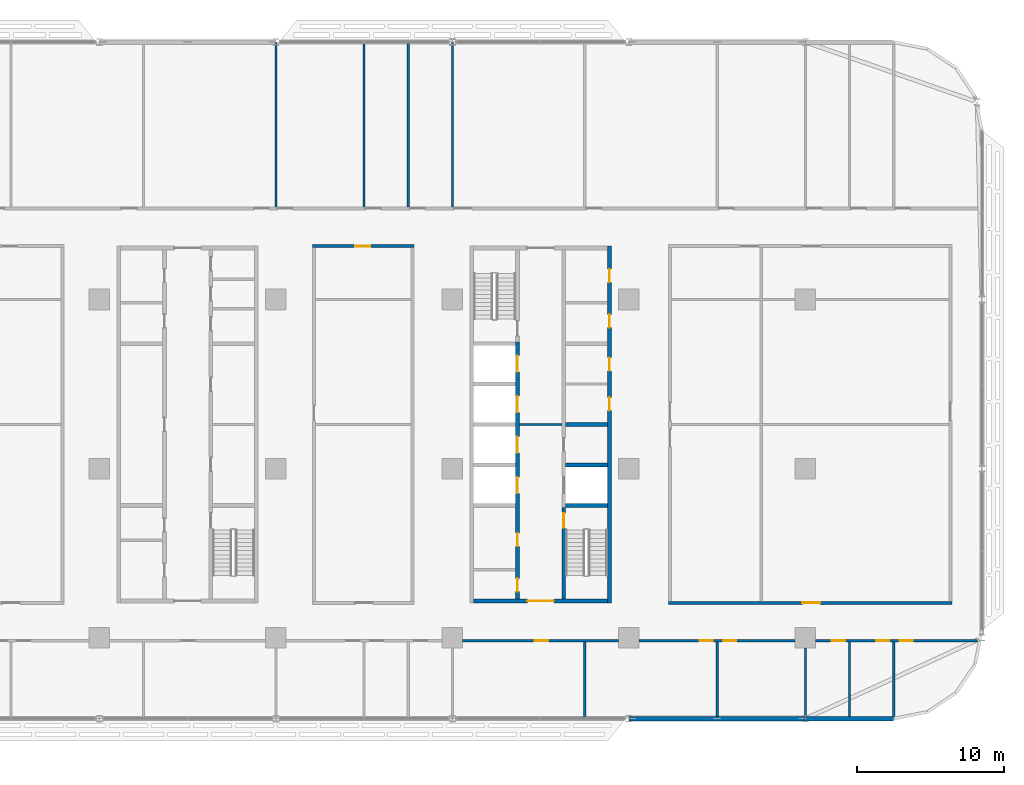
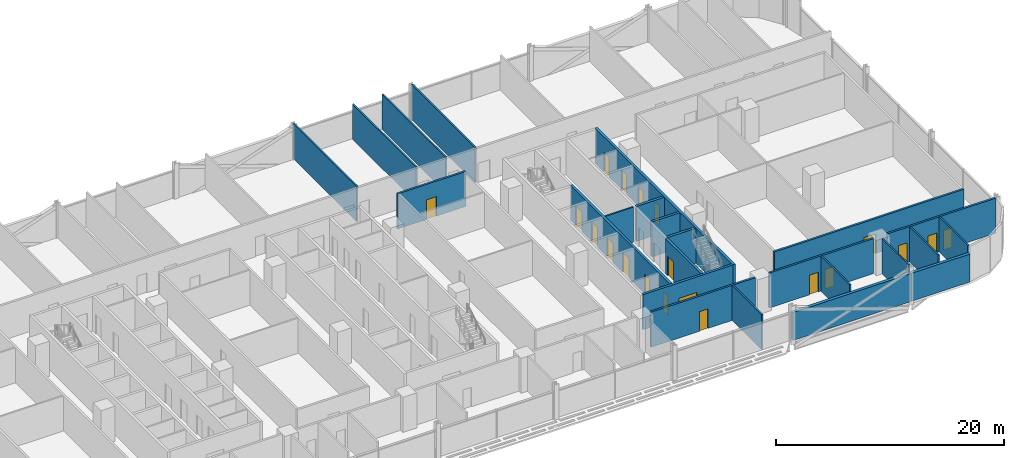
# One storey, part 16 of 29: 24 walls, 20 doors, 20 openings.
"""IFC4 building model written with IfcOpenShell, lengths in metres."""

from ifc_helpers import new_model, si_unit, direction, frame, frame_2d, origin, place, context, subcontext, project, spatial, rectangle, extrude, material, layer, layer_set, type_object, element, fill, save


model = new_model("IFC4")

# Units and contexts
model_context = context("Model", 3, precision=1e-05, world=origin(), true_north=direction((0.0, 1.0)))
body_context = subcontext(model_context, "Body", "Model", "MODEL_VIEW")
ifc_project = project(units=[si_unit("LENGTHUNIT", "METRE"), si_unit("AREAUNIT", "SQUARE_METRE"), si_unit("VOLUMEUNIT", "CUBIC_METRE"), si_unit("PLANEANGLEUNIT", "RADIAN"), si_unit("MASSUNIT", "GRAM", prefix="KILO")], contexts=[model_context])

# Site, building, storey
site_placement = place(None, origin())
site = spatial("IfcSite", under=ifc_project, at=site_placement, CompositionType="ELEMENT")
building_placement = place(site_placement, origin())
building = spatial("IfcBuilding", under=site, at=building_placement, Name="Mahtab Terrace Research Tower", CompositionType="ELEMENT")
storey_placement = place(building_placement, frame((0.0, 0.0, 109.39990234375)))
storey = spatial("IfcBuildingStorey", under=building, at=storey_placement, Name="L25", CompositionType="ELEMENT", Elevation=109.39990234375)

# Wall
ifc_material_1 = material(Name="Gypsum board partition")
ifc_layer_1 = layer(ifc_material_1, 0.14990234375)
ifc_layer_set_1 = layer_set([ifc_layer_1], Name="Core partition 150")
wall_type_1 = type_object("IfcWallType", Name="Core partition 150", PredefinedType="PARTITIONING", material=ifc_layer_set_1)
wall_1_placement = place(storey_placement, frame((22.550048828125, 3.0, 0.0), z_axis=(0.0, 0.0, 1.0), x_axis=(1.0, 0.0, 0.0)))
element("IfcWall", 1, at=wall_1_placement, inside=storey, type_object=wall_type_1, Name="Core wall C ffl", PredefinedType="PARTITIONING", context=body_context, shape_type="SweptSolid", body=[
    extrude(rectangle(XDim=2.89990234375, YDim=0.14990234375, at=frame_2d((1.449951171875, 0.0))), origin(), (0.0, 0.0, 1.0), 3.760009765625),
])

# Wall, openings, doors
ifc_material_2 = material(Name="Concrete C70/85", Category="concrete")
ifc_layer_2 = layer(ifc_material_2, 0.25)
ifc_layer_set_2 = layer_set([ifc_layer_2], Name="Core wall 250")
wall_type_2 = type_object("IfcWallType", Name="Core wall 250", PredefinedType="SOLIDWALL", material=ifc_layer_set_2)
wall_2_placement = place(storey_placement, frame((28.675048828125, -9.125, 0.0), z_axis=(0.0, 0.0, 1.0), x_axis=(0.0, 1.0, 0.0)))
wall_2 = element("IfcWall", 2, at=wall_2_placement, inside=storey, type_object=wall_type_2, Name="Core wall C outerE", PredefinedType="SOLIDWALL", context=body_context, shape_type="SweptSolid", body=[
    extrude(rectangle(XDim=24.25, YDim=0.25, at=frame_2d((12.125, 0.0))), origin(), (0.0, 0.0, 1.0), 3.760009765625),
])
opening_1_placement = place(wall_2_placement, frame((13.074951171875, 0.0, 0.0)))
opening_1 = element("IfcOpeningElement", 3, at=opening_1_placement, cuts=wall_2, Name="Opening C-R2", PredefinedType="OPENING", context=body_context, shape_type="SweptSolid", body=[
    extrude(rectangle(XDim=0.89990234375, YDim=2.10009765625, at=frame_2d((0.449951171875, 1.050048828125))), frame((0.0, 0.135009765625, 0.0), z_axis=(0.0, -1.0, 0.0), x_axis=(1.0, 0.0, 0.0)), (0.0, 0.0, 1.0), 0.27001953125),
])
opening_2_placement = place(wall_2_placement, frame((15.77490234375, 0.0, 0.0)))
opening_2 = element("IfcOpeningElement", 4, at=opening_2_placement, cuts=wall_2, Name="Opening C-R3", PredefinedType="OPENING", context=body_context, shape_type="SweptSolid", body=[
    extrude(rectangle(XDim=0.89990234375, YDim=2.10009765625, at=frame_2d((0.449951171875, 1.050048828125))), frame((0.0, 0.135009765625, 0.0), z_axis=(0.0, -1.0, 0.0), x_axis=(1.0, 0.0, 0.0)), (0.0, 0.0, 1.0), 0.27001953125),
])
opening_3_placement = place(wall_2_placement, frame((18.71240234375, 0.0, 0.0)))
opening_3 = element("IfcOpeningElement", 5, at=opening_3_placement, cuts=wall_2, Name="Opening C-R6", PredefinedType="OPENING", context=body_context, shape_type="SweptSolid", body=[
    extrude(rectangle(XDim=0.89990234375, YDim=2.10009765625, at=frame_2d((0.449951171875, 1.050048828125))), frame((0.0, 0.135009765625, 0.0), z_axis=(0.0, -1.0, 0.0), x_axis=(1.0, 0.0, 0.0)), (0.0, 0.0, 1.0), 0.27001953125),
])
opening_4_placement = place(wall_2_placement, frame((21.78759765625, 0.0, 0.0)))
opening_4 = element("IfcOpeningElement", 6, at=opening_4_placement, cuts=wall_2, Name="Opening C-R7", PredefinedType="OPENING", context=body_context, shape_type="SweptSolid", body=[
    extrude(rectangle(XDim=0.89990234375, YDim=2.10009765625, at=frame_2d((0.449951171875, 1.050048828125))), frame((0.0, 0.135009765625, 0.0), z_axis=(0.0, -1.0, 0.0), x_axis=(1.0, 0.0, 0.0)), (0.0, 0.0, 1.0), 0.27001953125),
])
ifc_material_3 = material(Name="Steel fire door", Category="steel")
door_type_1 = type_object("IfcDoorType", Name="Room door 900x2100 1 HR", OperationType="NOTDEFINED", PredefinedType="DOOR", material=ifc_material_3)
door_1_placement = place(opening_1_placement, origin())
door_1 = element("IfcDoor", 7, at=door_1_placement, inside=storey, type_object=door_type_1, Name="Document store door", OperationType="SINGLE_SWING_RIGHT", OverallHeight=2.10009765625, OverallWidth=0.89990234375, PredefinedType="DOOR", context=body_context, shape_type="SweptSolid", body=[
    extrude(rectangle(XDim=0.89990234375, YDim=2.10009765625, at=frame_2d((0.449951171875, 1.050048828125))), frame((0.0, 0.02490234375, 0.0), z_axis=(0.0, -1.0, 0.0), x_axis=(1.0, 0.0, 0.0)), (0.0, 0.0, 1.0), 0.050048828125),
])
fill(opening_1, door_1)
door_2_placement = place(opening_2_placement, origin())
door_2 = element("IfcDoor", 8, at=door_2_placement, inside=storey, type_object=door_type_1, Name="IT equipment room door", OperationType="SINGLE_SWING_LEFT", OverallHeight=2.10009765625, OverallWidth=0.89990234375, PredefinedType="DOOR", context=body_context, shape_type="SweptSolid", body=[
    extrude(rectangle(XDim=0.89990234375, YDim=2.10009765625, at=frame_2d((0.449951171875, 1.050048828125))), frame((0.0, 0.02490234375, 0.0), z_axis=(0.0, -1.0, 0.0), x_axis=(1.0, 0.0, 0.0)), (0.0, 0.0, 1.0), 0.050048828125),
])
fill(opening_2, door_2)
door_3_placement = place(opening_3_placement, origin())
door_3 = element("IfcDoor", 9, at=door_3_placement, inside=storey, type_object=door_type_1, Name="Mechanical riser room door", OperationType="SINGLE_SWING_RIGHT", OverallHeight=2.10009765625, OverallWidth=0.89990234375, PredefinedType="DOOR", context=body_context, shape_type="SweptSolid", body=[
    extrude(rectangle(XDim=0.89990234375, YDim=2.10009765625, at=frame_2d((0.449951171875, 1.050048828125))), frame((0.0, 0.02490234375, 0.0), z_axis=(0.0, -1.0, 0.0), x_axis=(1.0, 0.0, 0.0)), (0.0, 0.0, 1.0), 0.050048828125),
])
fill(opening_3, door_3)
door_4_placement = place(opening_4_placement, origin())
door_4 = element("IfcDoor", 10, at=door_4_placement, inside=storey, type_object=door_type_1, Name="Chemical store door", OperationType="SINGLE_SWING_LEFT", OverallHeight=2.10009765625, OverallWidth=0.89990234375, PredefinedType="DOOR", context=body_context, shape_type="SweptSolid", body=[
    extrude(rectangle(XDim=0.89990234375, YDim=2.10009765625, at=frame_2d((0.449951171875, 1.050048828125))), frame((0.0, 0.02490234375, 0.0), z_axis=(0.0, -1.0, 0.0), x_axis=(1.0, 0.0, 0.0)), (0.0, 0.0, 1.0), 0.050048828125),
])
fill(opening_4, door_4)

# Wall, opening, door
wall_3_placement = place(storey_placement, frame((28.550048828125, -9.0, 0.0), z_axis=(0.0, 0.0, 1.0), x_axis=(-1.0, 0.0, 0.0)))
wall_3 = element("IfcWall", 11, at=wall_3_placement, inside=storey, type_object=wall_type_2, Name="Core wall C endS", PredefinedType="SOLIDWALL", context=body_context, shape_type="SweptSolid", body=[
    extrude(rectangle(XDim=9.10009765625, YDim=0.25, at=frame_2d((4.550048828125, 0.0))), origin(), (0.0, 0.0, 1.0), 3.760009765625),
])
opening_5_placement = place(wall_3_placement, frame((3.64990234375, 0.0, 0.0)))
opening_5 = element("IfcOpeningElement", 12, at=opening_5_placement, cuts=wall_3, Name="Opening C-S1", PredefinedType="OPENING", context=body_context, shape_type="SweptSolid", body=[
    extrude(rectangle(XDim=1.800048828125, YDim=2.10009765625, at=frame_2d((0.89990234375, 1.050048828125))), frame((0.0, 0.135009765625, 0.0), z_axis=(0.0, -1.0, 0.0), x_axis=(1.0, 0.0, 0.0)), (0.0, 0.0, 1.0), 0.27001953125),
])
door_type_2 = type_object("IfcDoorType", Name="Lobby double door 1800x2100 1 HR", OperationType="DOUBLE_DOOR_SINGLE_SWING", PredefinedType="DOOR", material=ifc_material_3)
door_5_placement = place(opening_5_placement, origin())
door_5 = element("IfcDoor", 13, at=door_5_placement, inside=storey, type_object=door_type_2, Name="Core entrance door C S", OperationType="DOUBLE_DOOR_SINGLE_SWING", OverallHeight=2.10009765625, OverallWidth=1.800048828125, PredefinedType="DOOR", context=body_context, shape_type="SweptSolid", body=[
    extrude(rectangle(XDim=1.800048828125, YDim=2.10009765625, at=frame_2d((0.89990234375, 1.050048828125))), frame((0.0, 0.02490234375, 0.0), z_axis=(0.0, -1.0, 0.0), x_axis=(1.0, 0.0, 0.0)), (0.0, 0.0, 1.0), 0.050048828125),
])
fill(opening_5, door_5)

# Wall, openings, doors
wall_4_placement = place(storey_placement, frame((22.425048828125, -8.875, 0.0), z_axis=(0.0, 0.0, 1.0), x_axis=(0.0, 1.0, 0.0)))
wall_4 = element("IfcWall", 14, at=wall_4_placement, inside=storey, type_object=wall_type_2, Name="Core wall C innerWSL", PredefinedType="SOLIDWALL", context=body_context, shape_type="SweptSolid", body=[
    extrude(rectangle(XDim=17.5, YDim=0.25, at=frame_2d((8.75, 0.0))), origin(), (0.0, 0.0, 1.0), 3.760009765625),
])
opening_6_placement = place(wall_4_placement, frame((7.199951171875, 0.0, 0.0)))
opening_6 = element("IfcOpeningElement", 15, at=opening_6_placement, cuts=wall_4, Name="Opening LD17-L25", PredefinedType="OPENING", context=body_context, shape_type="SweptSolid", body=[
    extrude(rectangle(XDim=1.10009765625, YDim=2.10009765625, at=frame_2d((0.550048828125, 1.050048828125))), frame((0.0, 0.135009765625, 0.0), z_axis=(0.0, -1.0, 0.0), x_axis=(1.0, 0.0, 0.0)), (0.0, 0.0, 1.0), 0.27001953125),
])
opening_7_placement = place(wall_4_placement, frame((9.949951171875, 0.0, 0.0)))
opening_7 = element("IfcOpeningElement", 16, at=opening_7_placement, cuts=wall_4, Name="Opening LD18-L25", PredefinedType="OPENING", context=body_context, shape_type="SweptSolid", body=[
    extrude(rectangle(XDim=1.10009765625, YDim=2.10009765625, at=frame_2d((0.550048828125, 1.050048828125))), frame((0.0, 0.135009765625, 0.0), z_axis=(0.0, -1.0, 0.0), x_axis=(1.0, 0.0, 0.0)), (0.0, 0.0, 1.0), 0.27001953125),
])
opening_8_placement = place(wall_4_placement, frame((12.699951171875, 0.0, 0.0)))
opening_8 = element("IfcOpeningElement", 17, at=opening_8_placement, cuts=wall_4, Name="Opening LD19-L25", PredefinedType="OPENING", context=body_context, shape_type="SweptSolid", body=[
    extrude(rectangle(XDim=1.10009765625, YDim=2.10009765625, at=frame_2d((0.550048828125, 1.050048828125))), frame((0.0, 0.135009765625, 0.0), z_axis=(0.0, -1.0, 0.0), x_axis=(1.0, 0.0, 0.0)), (0.0, 0.0, 1.0), 0.27001953125),
])
opening_9_placement = place(wall_4_placement, frame((15.449951171875, 0.0, 0.0)))
opening_9 = element("IfcOpeningElement", 18, at=opening_9_placement, cuts=wall_4, Name="Opening LD20-L25", PredefinedType="OPENING", context=body_context, shape_type="SweptSolid", body=[
    extrude(rectangle(XDim=1.10009765625, YDim=2.10009765625, at=frame_2d((0.550048828125, 1.050048828125))), frame((0.0, 0.135009765625, 0.0), z_axis=(0.0, -1.0, 0.0), x_axis=(1.0, 0.0, 0.0)), (0.0, 0.0, 1.0), 0.27001953125),
])
opening_10_placement = place(wall_4_placement, frame((0.512451171875, 0.0, 0.0)))
opening_10 = element("IfcOpeningElement", 19, at=opening_10_placement, cuts=wall_4, Name="Opening C-R4", PredefinedType="OPENING", context=body_context, shape_type="SweptSolid", body=[
    extrude(rectangle(XDim=0.89990234375, YDim=2.10009765625, at=frame_2d((0.449951171875, 1.050048828125))), frame((0.0, 0.135009765625, 0.0), z_axis=(0.0, -1.0, 0.0), x_axis=(1.0, 0.0, 0.0)), (0.0, 0.0, 1.0), 0.27001953125),
])
opening_11_placement = place(wall_4_placement, frame((3.58740234375, 0.0, 0.0)))
opening_11 = element("IfcOpeningElement", 20, at=opening_11_placement, cuts=wall_4, Name="Opening C-R5", PredefinedType="OPENING", context=body_context, shape_type="SweptSolid", body=[
    extrude(rectangle(XDim=0.89990234375, YDim=2.10009765625, at=frame_2d((0.449951171875, 1.050048828125))), frame((0.0, 0.135009765625, 0.0), z_axis=(0.0, -1.0, 0.0), x_axis=(1.0, 0.0, 0.0)), (0.0, 0.0, 1.0), 0.27001953125),
])
ifc_material_4 = material(Name="Stainless steel AISI 304", Category="steel")
door_type_3 = type_object("IfcDoorType", Name="Landing door 1100x2100", OperationType="DOUBLE_DOOR_SLIDING", PredefinedType="DOOR", material=ifc_material_4)
door_6_placement = place(opening_6_placement, origin())
door_6 = element("IfcDoor", 21, at=door_6_placement, inside=storey, type_object=door_type_3, Name="Landing door SV1 L25", OperationType="DOUBLE_DOOR_SLIDING", OverallHeight=2.10009765625, OverallWidth=1.10009765625, PredefinedType="DOOR", context=body_context, shape_type="SweptSolid", body=[
    extrude(rectangle(XDim=1.10009765625, YDim=2.10009765625, at=frame_2d((0.550048828125, 1.050048828125))), frame((0.0, 0.02490234375, 0.0), z_axis=(0.0, -1.0, 0.0), x_axis=(1.0, 0.0, 0.0)), (0.0, 0.0, 1.0), 0.050048828125),
])
fill(opening_6, door_6)
door_7_placement = place(opening_7_placement, origin())
door_7 = element("IfcDoor", 22, at=door_7_placement, inside=storey, type_object=door_type_3, Name="Landing door SV2 L25", OperationType="DOUBLE_DOOR_SLIDING", OverallHeight=2.10009765625, OverallWidth=1.10009765625, PredefinedType="DOOR", context=body_context, shape_type="SweptSolid", body=[
    extrude(rectangle(XDim=1.10009765625, YDim=2.10009765625, at=frame_2d((0.550048828125, 1.050048828125))), frame((0.0, 0.02490234375, 0.0), z_axis=(0.0, -1.0, 0.0), x_axis=(1.0, 0.0, 0.0)), (0.0, 0.0, 1.0), 0.050048828125),
])
fill(opening_7, door_7)
door_8_placement = place(opening_8_placement, origin())
door_8 = element("IfcDoor", 23, at=door_8_placement, inside=storey, type_object=door_type_3, Name="Landing door FF1 L25", OperationType="DOUBLE_DOOR_SLIDING", OverallHeight=2.10009765625, OverallWidth=1.10009765625, PredefinedType="DOOR", context=body_context, shape_type="SweptSolid", body=[
    extrude(rectangle(XDim=1.10009765625, YDim=2.10009765625, at=frame_2d((0.550048828125, 1.050048828125))), frame((0.0, 0.02490234375, 0.0), z_axis=(0.0, -1.0, 0.0), x_axis=(1.0, 0.0, 0.0)), (0.0, 0.0, 1.0), 0.050048828125),
])
fill(opening_8, door_8)
door_9_placement = place(opening_9_placement, origin())
door_9 = element("IfcDoor", 24, at=door_9_placement, inside=storey, type_object=door_type_3, Name="Landing door FF2 L25", OperationType="DOUBLE_DOOR_SLIDING", OverallHeight=2.10009765625, OverallWidth=1.10009765625, PredefinedType="DOOR", context=body_context, shape_type="SweptSolid", body=[
    extrude(rectangle(XDim=1.10009765625, YDim=2.10009765625, at=frame_2d((0.550048828125, 1.050048828125))), frame((0.0, 0.02490234375, 0.0), z_axis=(0.0, -1.0, 0.0), x_axis=(1.0, 0.0, 0.0)), (0.0, 0.0, 1.0), 0.050048828125),
])
fill(opening_9, door_9)
door_10_placement = place(opening_10_placement, origin())
door_10 = element("IfcDoor", 25, at=door_10_placement, inside=storey, type_object=door_type_1, Name="Accessible WC door", OperationType="SINGLE_SWING_RIGHT", OverallHeight=2.10009765625, OverallWidth=0.89990234375, PredefinedType="DOOR", context=body_context, shape_type="SweptSolid", body=[
    extrude(rectangle(XDim=0.89990234375, YDim=2.10009765625, at=frame_2d((0.449951171875, 1.050048828125))), frame((0.0, 0.02490234375, 0.0), z_axis=(0.0, -1.0, 0.0), x_axis=(1.0, 0.0, 0.0)), (0.0, 0.0, 1.0), 0.050048828125),
])
fill(opening_10, door_10)
door_11_placement = place(opening_11_placement, origin())
door_11 = element("IfcDoor", 26, at=door_11_placement, inside=storey, type_object=door_type_1, Name="WC block door", OperationType="SINGLE_SWING_LEFT", OverallHeight=2.10009765625, OverallWidth=0.89990234375, PredefinedType="DOOR", context=body_context, shape_type="SweptSolid", body=[
    extrude(rectangle(XDim=0.89990234375, YDim=2.10009765625, at=frame_2d((0.449951171875, 1.050048828125))), frame((0.0, 0.02490234375, 0.0), z_axis=(0.0, -1.0, 0.0), x_axis=(1.0, 0.0, 0.0)), (0.0, 0.0, 1.0), 0.050048828125),
])
fill(opening_11, door_11)

# Wall, opening, door
wall_5_placement = place(storey_placement, frame((25.574951171875, -8.875, 0.0), z_axis=(0.0, 0.0, 1.0), x_axis=(0.0, 1.0, 0.0)))
wall_5 = element("IfcWall", 27, at=wall_5_placement, inside=storey, type_object=wall_type_2, Name="Core wall C innerES", PredefinedType="SOLIDWALL", context=body_context, shape_type="SweptSolid", body=[
    extrude(rectangle(XDim=6.25, YDim=0.25, at=frame_2d((3.125, 0.0))), origin(), (0.0, 0.0, 1.0), 3.760009765625),
])
opening_12_placement = place(wall_5_placement, frame((4.85009765625, 0.0, 0.0)))
opening_12 = element("IfcOpeningElement", 28, at=opening_12_placement, cuts=wall_5, Name="Opening C-ST4", PredefinedType="OPENING", context=body_context, shape_type="SweptSolid", body=[
    extrude(rectangle(XDim=1.0, YDim=2.10009765625, at=frame_2d((0.5, 1.050048828125))), frame((0.0, 0.135009765625, 0.0), z_axis=(0.0, -1.0, 0.0), x_axis=(1.0, 0.0, 0.0)), (0.0, 0.0, 1.0), 0.27001953125),
])
door_type_4 = type_object("IfcDoorType", Name="Stair door 1000x2100 1.5 HR", OperationType="NOTDEFINED", PredefinedType="DOOR", material=ifc_material_3)
door_12_placement = place(opening_12_placement, origin())
door_12 = element("IfcDoor", 29, at=door_12_placement, inside=storey, type_object=door_type_4, Name="Stair door ST4 L25", OperationType="SINGLE_SWING_LEFT", OverallHeight=2.10009765625, OverallWidth=1.0, PredefinedType="DOOR", context=body_context, shape_type="SweptSolid", body=[
    extrude(rectangle(XDim=1.0, YDim=2.10009765625, at=frame_2d((0.5, 1.050048828125))), frame((0.0, 0.02490234375, 0.0), z_axis=(0.0, -1.0, 0.0), x_axis=(1.0, 0.0, 0.0)), (0.0, 0.0, 1.0), 0.050048828125),
])
fill(opening_12, door_12)

# Walls
for number, where, z_axis, x_axis, name in (
    (30, (25.699951171875, -2.5, 0.0), (0.0, 0.0, 1.0), (1.0, 0.0, 0.0), "Core wall C divE0"),
    (31, (25.699951171875, 0.25, 0.0), (0.0, 0.0, 1.0), (1.0, 0.0, 0.0), "Core wall C divE1"),
    (32, (25.699951171875, 3.0, 0.0), (0.0, 0.0, 1.0), (1.0, 0.0, 0.0), "Core wall C divE2"),
):
    element("IfcWall", number, at=place(storey_placement, frame(where, z_axis=z_axis, x_axis=x_axis)), inside=storey, type_object=wall_type_2, Name=name, PredefinedType="SOLIDWALL", context=body_context, shape_type="SweptSolid", body=[
        extrude(rectangle(XDim=2.85009765625, YDim=0.25, at=frame_2d((1.425048828125, 0.0))), origin(), (0.0, 0.0, 1.0), 3.760009765625),
    ])
ifc_material_5 = material(Name="Black aluminium cladding panel", Category="aluminium")
ifc_layer_3 = layer(ifc_material_5, 0.300048828125)
ifc_layer_set_3 = layer_set([ifc_layer_3], Name="Opaque facade wall 300")
wall_type_3 = type_object("IfcWallType", Name="Opaque facade wall 300", PredefinedType="NOTDEFINED", material=ifc_layer_set_3)
wall_6_placement = place(storey_placement, frame((30.02099609375, -17.0, 0.0), z_axis=(0.0, 0.0, 1.0), x_axis=(1.0, 0.0, 0.0)))
element("IfcWall", 33, at=wall_6_placement, inside=storey, type_object=wall_type_3, Name="Opaque facade wall L25 S29", PredefinedType="NOTDEFINED", context=body_context, shape_type="SweptSolid", body=[
    extrude(rectangle(XDim=11.9580078125, YDim=0.300048828125, at=frame_2d((5.97900390625, 0.0))), origin(), (0.0, 0.0, 1.0), 3.003173828125),
])
wall_7_placement = place(storey_placement, frame((42.02099609375, -17.0, 0.0), z_axis=(0.0, 0.0, 1.0), x_axis=(1.0, 0.0, 0.0)))
element("IfcWall", 34, at=wall_7_placement, inside=storey, type_object=wall_type_3, Name="Opaque facade wall L25 S30", PredefinedType="NOTDEFINED", context=body_context, shape_type="SweptSolid", body=[
    extrude(rectangle(XDim=5.97900390625, YDim=0.300048828125, at=frame_2d((2.989501953125, 0.0))), origin(), (0.0, 0.0, 1.0), 3.003173828125),
])

# Wall, opening, door
ifc_material_6 = material(Name="Gypsum board corridor wall on steel studs", Category="steel")
ifc_layer_4 = layer(ifc_material_6, 0.199951171875)
ifc_layer_set_4 = layer_set([ifc_layer_4], Name="WALL CORRIDOR 200")
wall_type_4 = type_object("IfcWallType", Name="WALL CORRIDOR 200", PredefinedType="PARTITIONING", material=ifc_layer_set_4)
wall_8_placement = place(storey_placement, frame((18.699951171875, -11.699951171875, 0.0), z_axis=(0.0, 0.0, 1.0), x_axis=(1.0, 0.0, 0.0)))
wall_8 = element("IfcWall", 35, at=wall_8_placement, inside=storey, type_object=wall_type_4, Name="L25-W006", PredefinedType="PARTITIONING", context=body_context, shape_type="SweptSolid", body=[
    extrude(rectangle(XDim=10.60009765625, YDim=0.199951171875, at=frame_2d((5.300048828125, 0.0))), origin(), (0.0, 0.0, 1.0), 3.760009765625),
])
opening_13_placement = place(wall_8_placement, frame((4.89990234375, 0.0, 0.0)))
opening_13 = element("IfcOpeningElement", 36, at=opening_13_placement, cuts=wall_8, Name="Opening L25-111", PredefinedType="OPENING", context=body_context, shape_type="SweptSolid", body=[
    extrude(rectangle(XDim=0.89990234375, YDim=2.10009765625, at=frame_2d((0.449951171875, 1.050048828125))), frame((0.0, 0.10986328125, 0.0), z_axis=(0.0, -1.0, 0.0), x_axis=(1.0, 0.0, 0.0)), (0.0, 0.0, 1.0), 0.219970703125),
])
ifc_material_7 = material(Name="Timber door leaf in steel frame", Category="steel")
door_type_5 = type_object("IfcDoorType", Name="DOOR 0900X2100 FD30S", OperationType="SINGLE_SWING_LEFT", PredefinedType="DOOR", material=ifc_material_7)
door_13_placement = place(opening_13_placement, origin())
door_13 = element("IfcDoor", 37, at=door_13_placement, inside=storey, type_object=door_type_5, Name="Door L25-111", OperationType="SINGLE_SWING_LEFT", OverallHeight=2.10009765625, OverallWidth=0.89990234375, PredefinedType="DOOR", context=body_context, shape_type="SweptSolid", body=[
    extrude(rectangle(XDim=0.89990234375, YDim=2.10009765625, at=frame_2d((0.449951171875, 1.050048828125))), frame((0.0, 0.02490234375, 0.0), z_axis=(0.0, -1.0, 0.0), x_axis=(1.0, 0.0, 0.0)), (0.0, 0.0, 1.0), 0.050048828125),
])
fill(opening_13, door_13)

# Wall, openings, doors
wall_9_placement = place(storey_placement, frame((30.699951171875, -11.699951171875, 0.0), z_axis=(0.0, 0.0, 1.0), x_axis=(1.0, 0.0, 0.0)))
wall_9 = element("IfcWall", 38, at=wall_9_placement, inside=storey, type_object=wall_type_4, Name="L25-W007", PredefinedType="PARTITIONING", context=body_context, shape_type="SweptSolid", body=[
    extrude(rectangle(XDim=10.60009765625, YDim=0.199951171875, at=frame_2d((5.300048828125, 0.0))), origin(), (0.0, 0.0, 1.0), 3.760009765625),
])
opening_14_placement = place(wall_9_placement, frame((4.10009765625, 0.0, 0.0)))
opening_14 = element("IfcOpeningElement", 39, at=opening_14_placement, cuts=wall_9, Name="Opening L25-112", PredefinedType="OPENING", context=body_context, shape_type="SweptSolid", body=[
    extrude(rectangle(XDim=0.89990234375, YDim=2.10009765625, at=frame_2d((0.449951171875, 1.050048828125))), frame((0.0, 0.10986328125, 0.0), z_axis=(0.0, -1.0, 0.0), x_axis=(1.0, 0.0, 0.0)), (0.0, 0.0, 1.0), 0.219970703125),
])
opening_15_placement = place(wall_9_placement, frame((5.699951171875, 0.0, 0.0)))
opening_15 = element("IfcOpeningElement", 40, at=opening_15_placement, cuts=wall_9, Name="Opening L25-113", PredefinedType="OPENING", context=body_context, shape_type="SweptSolid", body=[
    extrude(rectangle(XDim=0.89990234375, YDim=2.10009765625, at=frame_2d((0.449951171875, 1.050048828125))), frame((0.0, 0.10986328125, 0.0), z_axis=(0.0, -1.0, 0.0), x_axis=(1.0, 0.0, 0.0)), (0.0, 0.0, 1.0), 0.219970703125),
])
door_14_placement = place(opening_14_placement, origin())
door_14 = element("IfcDoor", 41, at=door_14_placement, inside=storey, type_object=door_type_5, Name="Door L25-112", OperationType="SINGLE_SWING_RIGHT", OverallHeight=2.10009765625, OverallWidth=0.89990234375, PredefinedType="DOOR", context=body_context, shape_type="SweptSolid", body=[
    extrude(rectangle(XDim=0.89990234375, YDim=2.10009765625, at=frame_2d((0.449951171875, 1.050048828125))), frame((0.0, 0.02490234375, 0.0), z_axis=(0.0, -1.0, 0.0), x_axis=(1.0, 0.0, 0.0)), (0.0, 0.0, 1.0), 0.050048828125),
])
fill(opening_14, door_14)
door_15_placement = place(opening_15_placement, origin())
door_15 = element("IfcDoor", 42, at=door_15_placement, inside=storey, type_object=door_type_5, Name="Door L25-113", OperationType="SINGLE_SWING_LEFT", OverallHeight=2.10009765625, OverallWidth=0.89990234375, PredefinedType="DOOR", context=body_context, shape_type="SweptSolid", body=[
    extrude(rectangle(XDim=0.89990234375, YDim=2.10009765625, at=frame_2d((0.449951171875, 1.050048828125))), frame((0.0, 0.02490234375, 0.0), z_axis=(0.0, -1.0, 0.0), x_axis=(1.0, 0.0, 0.0)), (0.0, 0.0, 1.0), 0.050048828125),
])
fill(opening_15, door_15)

wall_10_placement = place(storey_placement, frame((42.699951171875, -11.699951171875, 0.0), z_axis=(0.0, 0.0, 1.0), x_axis=(1.0, 0.0, 0.0)))
wall_10 = element("IfcWall", 43, at=wall_10_placement, inside=storey, type_object=wall_type_4, Name="L25-W008", PredefinedType="PARTITIONING", context=body_context, shape_type="SweptSolid", body=[
    extrude(rectangle(XDim=11.0078125, YDim=0.199951171875, at=frame_2d((5.50390625, 0.0))), origin(), (0.0, 0.0, 1.0), 3.760009765625),
])
opening_16_placement = place(wall_10_placement, frame((1.10009765625, 0.0, 0.0)))
opening_16 = element("IfcOpeningElement", 44, at=opening_16_placement, cuts=wall_10, Name="Opening L25-114", PredefinedType="OPENING", context=body_context, shape_type="SweptSolid", body=[
    extrude(rectangle(XDim=0.89990234375, YDim=2.10009765625, at=frame_2d((0.449951171875, 1.050048828125))), frame((0.0, 0.10986328125, 0.0), z_axis=(0.0, -1.0, 0.0), x_axis=(1.0, 0.0, 0.0)), (0.0, 0.0, 1.0), 0.219970703125),
])
opening_17_placement = place(wall_10_placement, frame((4.10009765625, 0.0, 0.0)))
opening_17 = element("IfcOpeningElement", 45, at=opening_17_placement, cuts=wall_10, Name="Opening L25-115", PredefinedType="OPENING", context=body_context, shape_type="SweptSolid", body=[
    extrude(rectangle(XDim=0.89990234375, YDim=2.10009765625, at=frame_2d((0.449951171875, 1.050048828125))), frame((0.0, 0.10986328125, 0.0), z_axis=(0.0, -1.0, 0.0), x_axis=(1.0, 0.0, 0.0)), (0.0, 0.0, 1.0), 0.219970703125),
])
opening_18_placement = place(wall_10_placement, frame((5.699951171875, 0.0, 0.0)))
opening_18 = element("IfcOpeningElement", 46, at=opening_18_placement, cuts=wall_10, Name="Opening L25-116", PredefinedType="OPENING", context=body_context, shape_type="SweptSolid", body=[
    extrude(rectangle(XDim=0.89990234375, YDim=2.10009765625, at=frame_2d((0.449951171875, 1.050048828125))), frame((0.0, 0.10986328125, 0.0), z_axis=(0.0, -1.0, 0.0), x_axis=(1.0, 0.0, 0.0)), (0.0, 0.0, 1.0), 0.219970703125),
])
door_16_placement = place(opening_16_placement, origin())
door_16 = element("IfcDoor", 47, at=door_16_placement, inside=storey, type_object=door_type_5, Name="Door L25-114", OperationType="SINGLE_SWING_RIGHT", OverallHeight=2.10009765625, OverallWidth=0.89990234375, PredefinedType="DOOR", context=body_context, shape_type="SweptSolid", body=[
    extrude(rectangle(XDim=0.89990234375, YDim=2.10009765625, at=frame_2d((0.449951171875, 1.050048828125))), frame((0.0, 0.02490234375, 0.0), z_axis=(0.0, -1.0, 0.0), x_axis=(1.0, 0.0, 0.0)), (0.0, 0.0, 1.0), 0.050048828125),
])
fill(opening_16, door_16)
door_17_placement = place(opening_17_placement, origin())
door_17 = element("IfcDoor", 48, at=door_17_placement, inside=storey, type_object=door_type_5, Name="Door L25-115", OperationType="SINGLE_SWING_RIGHT", OverallHeight=2.10009765625, OverallWidth=0.89990234375, PredefinedType="DOOR", context=body_context, shape_type="SweptSolid", body=[
    extrude(rectangle(XDim=0.89990234375, YDim=2.10009765625, at=frame_2d((0.449951171875, 1.050048828125))), frame((0.0, 0.02490234375, 0.0), z_axis=(0.0, -1.0, 0.0), x_axis=(1.0, 0.0, 0.0)), (0.0, 0.0, 1.0), 0.050048828125),
])
fill(opening_17, door_17)
door_18_placement = place(opening_18_placement, origin())
door_18 = element("IfcDoor", 49, at=door_18_placement, inside=storey, type_object=door_type_5, Name="Door L25-116", OperationType="SINGLE_SWING_LEFT", OverallHeight=2.10009765625, OverallWidth=0.89990234375, PredefinedType="DOOR", context=body_context, shape_type="SweptSolid", body=[
    extrude(rectangle(XDim=0.89990234375, YDim=2.10009765625, at=frame_2d((0.449951171875, 1.050048828125))), frame((0.0, 0.02490234375, 0.0), z_axis=(0.0, -1.0, 0.0), x_axis=(1.0, 0.0, 0.0)), (0.0, 0.0, 1.0), 0.050048828125),
])
fill(opening_18, door_18)

# Wall, opening, door
wall_11_placement = place(storey_placement, frame((32.699951171875, -9.125, 0.0), z_axis=(0.0, 0.0, 1.0), x_axis=(1.0, 0.0, 0.0)))
wall_11 = element("IfcWall", 50, at=wall_11_placement, inside=storey, type_object=wall_type_4, Name="L25-W012", PredefinedType="PARTITIONING", context=body_context, shape_type="SweptSolid", body=[
    extrude(rectangle(XDim=19.25, YDim=0.199951171875, at=frame_2d((9.625, 0.0))), origin(), (0.0, 0.0, 1.0), 3.760009765625),
])
opening_19_placement = place(wall_11_placement, frame((9.10009765625, 0.0, 0.0)))
opening_19 = element("IfcOpeningElement", 51, at=opening_19_placement, cuts=wall_11, Name="Opening L25-121", PredefinedType="OPENING", context=body_context, shape_type="SweptSolid", body=[
    extrude(rectangle(XDim=1.199951171875, YDim=2.10009765625, at=frame_2d((0.60009765625, 1.050048828125))), frame((0.0, 0.10986328125, 0.0), z_axis=(0.0, -1.0, 0.0), x_axis=(1.0, 0.0, 0.0)), (0.0, 0.0, 1.0), 0.219970703125),
])
door_type_6 = type_object("IfcDoorType", Name="DOOR 1200X2100 FD30S", OperationType="SINGLE_SWING_LEFT", PredefinedType="DOOR", material=ifc_material_7)
door_19_placement = place(opening_19_placement, origin())
door_19 = element("IfcDoor", 52, at=door_19_placement, inside=storey, type_object=door_type_6, Name="Door L25-121", OperationType="SINGLE_SWING_RIGHT", OverallHeight=2.10009765625, OverallWidth=1.199951171875, PredefinedType="DOOR", context=body_context, shape_type="SweptSolid", body=[
    extrude(rectangle(XDim=1.199951171875, YDim=2.10009765625, at=frame_2d((0.60009765625, 1.050048828125))), frame((0.0, 0.02490234375, 0.0), z_axis=(0.0, -1.0, 0.0), x_axis=(1.0, 0.0, 0.0)), (0.0, 0.0, 1.0), 0.050048828125),
])
fill(opening_19, door_19)

wall_12_placement = place(storey_placement, frame((8.5, 15.125, 0.0), z_axis=(0.0, 0.0, 1.0), x_axis=(1.0, 0.0, 0.0)))
wall_12 = element("IfcWall", 53, at=wall_12_placement, inside=storey, type_object=wall_type_4, Name="L25-W024", PredefinedType="PARTITIONING", context=body_context, shape_type="SweptSolid", body=[
    extrude(rectangle(XDim=6.89990234375, YDim=0.199951171875, at=frame_2d((3.449951171875, 0.0))), origin(), (0.0, 0.0, 1.0), 3.760009765625),
])
opening_20_placement = place(wall_12_placement, frame((2.89990234375, 0.0, 0.0)))
opening_20 = element("IfcOpeningElement", 54, at=opening_20_placement, cuts=wall_12, Name="Opening L25-129", PredefinedType="OPENING", context=body_context, shape_type="SweptSolid", body=[
    extrude(rectangle(XDim=1.0, YDim=2.10009765625, at=frame_2d((0.5, 1.050048828125))), frame((0.0, 0.10986328125, 0.0), z_axis=(0.0, -1.0, 0.0), x_axis=(1.0, 0.0, 0.0)), (0.0, 0.0, 1.0), 0.219970703125),
])
door_type_7 = type_object("IfcDoorType", Name="DOOR 1000X2100 FD30S", OperationType="SINGLE_SWING_LEFT", PredefinedType="DOOR", material=ifc_material_7)
door_20_placement = place(opening_20_placement, origin())
door_20 = element("IfcDoor", 55, at=door_20_placement, inside=storey, type_object=door_type_7, Name="Door L25-129", OperationType="SINGLE_SWING_RIGHT", OverallHeight=2.10009765625, OverallWidth=1.0, PredefinedType="DOOR", context=body_context, shape_type="SweptSolid", body=[
    extrude(rectangle(XDim=1.0, YDim=2.10009765625, at=frame_2d((0.5, 1.050048828125))), frame((0.0, 0.02490234375, 0.0), z_axis=(0.0, -1.0, 0.0), x_axis=(1.0, 0.0, 0.0)), (0.0, 0.0, 1.0), 0.050048828125),
])
fill(opening_20, door_20)

# Walls
ifc_material_8 = material(Name="Gypsum board partition on steel studs", Category="steel")
ifc_layer_5 = layer(ifc_material_8, 0.14990234375)
ifc_layer_set_5 = layer_set([ifc_layer_5], Name="WALL PARTITION 150")
wall_type_5 = type_object("IfcWallType", Name="WALL PARTITION 150", PredefinedType="PARTITIONING", material=ifc_layer_set_5)
for number, where, z_axis, x_axis, name in (
    (56, (6.0, 17.800048828125, 0.0), (0.0, 0.0, 1.0), (0.0, 1.0, 0.0), "L25-W044"),
    (57, (12.0, 17.800048828125, 0.0), (0.0, 0.0, 1.0), (0.0, 1.0, 0.0), "L25-W047"),
    (58, (15.0, 17.800048828125, 0.0), (0.0, 0.0, 1.0), (0.0, 1.0, 0.0), "L25-W049"),
    (59, (18.0, 17.800048828125, 0.0), (0.0, 0.0, 1.0), (0.0, 1.0, 0.0), "L25-W052"),
):
    element("IfcWall", number, at=place(storey_placement, frame(where, z_axis=z_axis, x_axis=x_axis)), inside=storey, type_object=wall_type_5, Name=name, PredefinedType="PARTITIONING", context=body_context, shape_type="SweptSolid", body=[
        extrude(rectangle(XDim=11.175048828125, YDim=0.14990234375, at=frame_2d((5.58740234375, 0.0))), origin(), (0.0, 0.0, 1.0), 3.760009765625),
    ])
wall_13_placement = place(storey_placement, frame((27.0, -16.97509765625, 0.0), z_axis=(0.0, 0.0, 1.0), x_axis=(0.0, 1.0, 0.0)))
element("IfcWall", 60, at=wall_13_placement, inside=storey, type_object=wall_type_5, Name="L25-W053", PredefinedType="PARTITIONING", context=body_context, shape_type="SweptSolid", body=[
    extrude(rectangle(XDim=5.175048828125, YDim=0.14990234375, at=frame_2d((2.58740234375, 0.0))), origin(), (0.0, 0.0, 1.0), 3.760009765625),
])
wall_14_placement = place(storey_placement, frame((36.0, -16.85009765625, 0.0), z_axis=(0.0, 0.0, 1.0), x_axis=(0.0, 1.0, 0.0)))
element("IfcWall", 61, at=wall_14_placement, inside=storey, type_object=wall_type_5, Name="L25-W056", PredefinedType="PARTITIONING", context=body_context, shape_type="SweptSolid", body=[
    extrude(rectangle(XDim=5.050048828125, YDim=0.14990234375, at=frame_2d((2.52490234375, 0.0))), origin(), (0.0, 0.0, 1.0), 3.760009765625),
])
wall_15_placement = place(storey_placement, frame((42.0, -16.85009765625, 0.0), z_axis=(0.0, 0.0, 1.0), x_axis=(0.0, 1.0, 0.0)))
element("IfcWall", 62, at=wall_15_placement, inside=storey, type_object=wall_type_5, Name="L25-W059", PredefinedType="PARTITIONING", context=body_context, shape_type="SweptSolid", body=[
    extrude(rectangle(XDim=4.650146484375, YDim=0.14990234375, at=frame_2d((2.3251953125, 0.0))), origin(), (0.0, 0.0, 1.0), 3.760009765625),
])
wall_16_placement = place(storey_placement, frame((45.0, -16.85009765625, 0.0), z_axis=(0.0, 0.0, 1.0), x_axis=(0.0, 1.0, 0.0)))
element("IfcWall", 63, at=wall_16_placement, inside=storey, type_object=wall_type_5, Name="L25-W061", PredefinedType="PARTITIONING", context=body_context, shape_type="SweptSolid", body=[
    extrude(rectangle(XDim=5.050048828125, YDim=0.14990234375, at=frame_2d((2.52490234375, 0.0))), origin(), (0.0, 0.0, 1.0), 3.760009765625),
])
wall_17_placement = place(storey_placement, frame((48.0, -16.84716796875, 0.0), z_axis=(0.0, 0.0, 1.0), x_axis=(0.0, 1.0, 0.0)))
element("IfcWall", 64, at=wall_17_placement, inside=storey, type_object=wall_type_5, Name="L25-W063", PredefinedType="PARTITIONING", context=body_context, shape_type="SweptSolid", body=[
    extrude(rectangle(XDim=5.047119140625, YDim=0.14990234375, at=frame_2d((2.5234375, 0.0))), origin(), (0.0, 0.0, 1.0), 3.760009765625),
])

save(model, "model.ifc")
